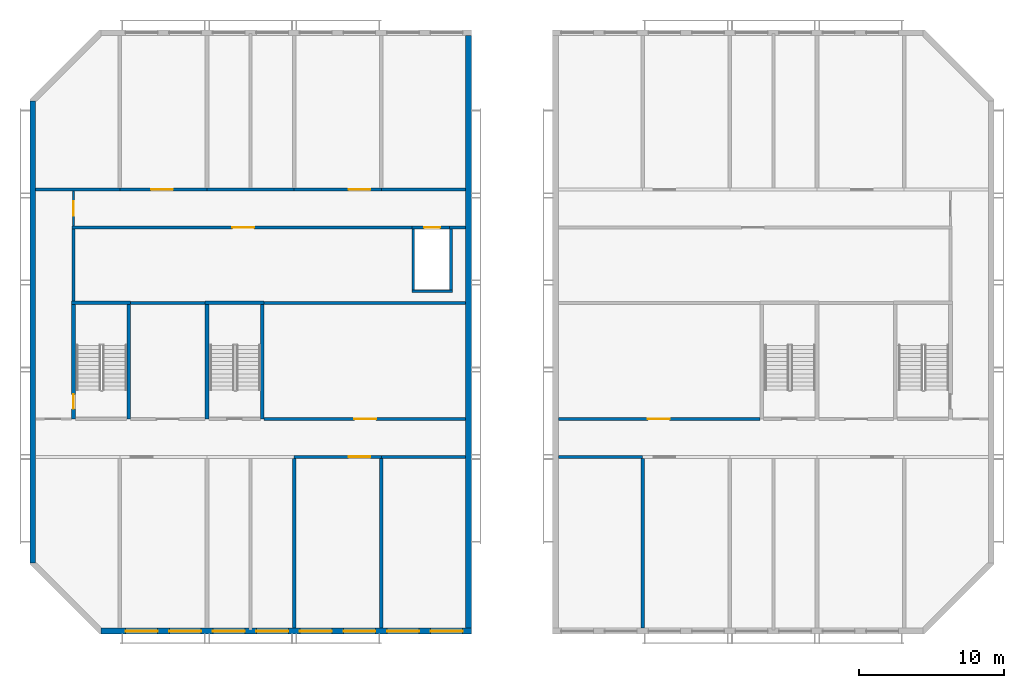
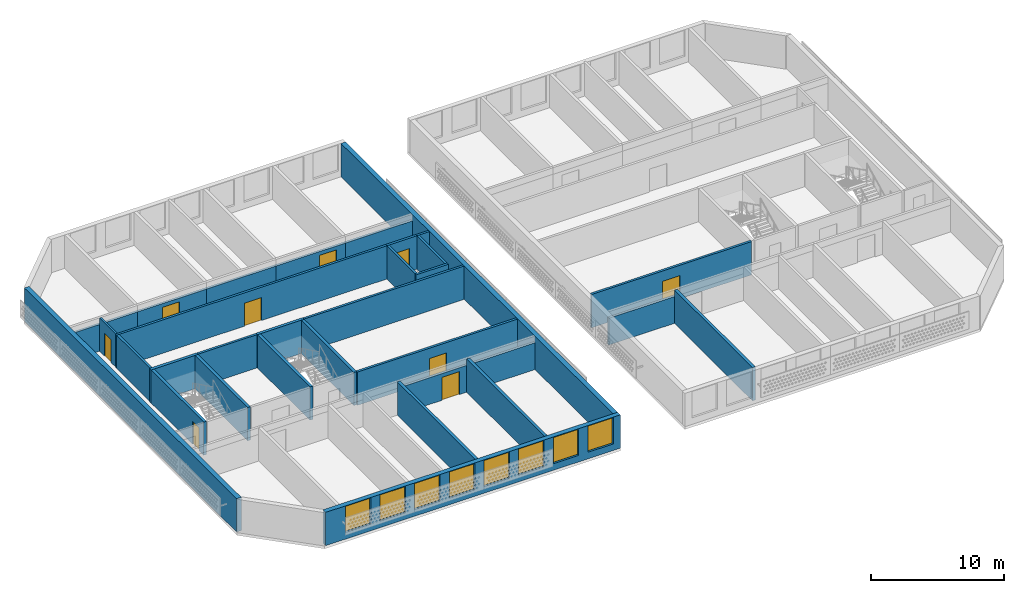
# One storey, part 2 of 18: 32 walls, 9 doors, 8 windows, 17 openings.
"""IFC4 building model written with IfcOpenShell, lengths in metres."""

from ifc_helpers import new_model, si_unit, direction, frame, frame_2d, origin, place, context, subcontext, project, spatial, rectangle, extrude, material, layer, layer_set, type_object, element, fill, save


model = new_model("IFC4")

# Units and contexts
model_context = context("Model", 3, precision=1e-05, world=origin(), true_north=direction((0.0, 1.0)))
body_context = subcontext(model_context, "Body", "Model", "MODEL_VIEW")
ifc_project = project(units=[si_unit("LENGTHUNIT", "METRE"), si_unit("AREAUNIT", "SQUARE_METRE"), si_unit("VOLUMEUNIT", "CUBIC_METRE"), si_unit("PLANEANGLEUNIT", "RADIAN"), si_unit("MASSUNIT", "GRAM", prefix="KILO")], contexts=[model_context])

# Site, building, storey
site_placement = place(None, origin())
site = spatial("IfcSite", under=ifc_project, at=site_placement, CompositionType="ELEMENT")
building_placement = place(site_placement, origin())
building = spatial("IfcBuilding", under=site, at=building_placement, Name="Poui Terraces", CompositionType="ELEMENT")
storey_placement = place(building_placement, frame((0.0, 0.0, 279.0)))
storey = spatial("IfcBuildingStorey", under=building, at=storey_placement, Name="L77 CROWN", CompositionType="ELEMENT", Elevation=279.0)

# Wall, opening, door
ifc_material_1 = material(Name="Fire-rated plasterboard wall")
ifc_layer_1 = layer(ifc_material_1, 0.14990234375)
ifc_layer_set_1 = layer_set([ifc_layer_1], Name="Fire-rated plasterboard wall")
wall_type_1 = type_object("IfcWallType", Name="CORRIDOR WALL 150", PredefinedType="PARTITIONING", material=ifc_layer_set_1)
wall_1_placement = place(storey_placement, frame((20.800048828125, 27.89990234375, 0.0), z_axis=(0.0, 0.0, 1.0), x_axis=(0.0, 1.0, 0.0)))
wall_1 = element("IfcWall", 1, at=wall_1_placement, inside=storey, type_object=wall_type_1, Name="CORRIDOR WALL 150", PredefinedType="PARTITIONING", context=body_context, shape_type="SweptSolid", body=[
    extrude(rectangle(XDim=2.39013671875, YDim=0.14990234375, at=frame_2d((1.195068359375, 0.0))), origin(), (0.0, 0.0, 1.0), 3.050048828125),
])
opening_1_placement = place(wall_1_placement, frame((0.699951171875, 0.0, 0.0)))
opening_1 = element("IfcOpeningElement", 2, at=opening_1_placement, cuts=wall_1, Name="Opening FDL", PredefinedType="OPENING", context=body_context, shape_type="SweptSolid", body=[
    extrude(rectangle(XDim=1.0, YDim=2.10009765625, at=frame_2d((0.5, 1.050048828125))), frame((0.0, 0.0849609375, 0.0), z_axis=(0.0, -1.0, 0.0), x_axis=(1.0, 0.0, 0.0)), (0.0, 0.0, 1.0), 0.169921875),
])
ifc_material_2 = material(Name="Steel fire door", Category="steel")
door_type_1 = type_object("IfcDoorType", Name="LOBBY FIRE DOOR 1000 X 2100", OperationType="NOTDEFINED", PredefinedType="DOOR", material=ifc_material_2)
door_1_placement = place(opening_1_placement, origin())
door_1 = element("IfcDoor", 3, at=door_1_placement, inside=storey, type_object=door_type_1, Name="LOBBY FIRE DOOR 022", OperationType="SINGLE_SWING_LEFT", OverallHeight=2.10009765625, OverallWidth=1.0, PredefinedType="DOOR", context=body_context, shape_type="SweptSolid", body=[
    extrude(rectangle(XDim=1.0, YDim=2.10009765625, at=frame_2d((0.5, 1.050048828125))), frame((0.0, 0.02490234375, 0.0), z_axis=(0.0, -1.0, 0.0), x_axis=(1.0, 0.0, 0.0)), (0.0, 0.0, 1.0), 0.050048828125),
])
fill(opening_1, door_1)

ifc_material_3 = material(Name="Concrete 50 MPa", Category="concrete")
ifc_layer_2 = layer(ifc_material_3, 0.199951171875)
ifc_layer_set_2 = layer_set([ifc_layer_2], Name="Concrete 50 MPa")
wall_type_2 = type_object("IfcWallType", Name="CORRIDOR WALL 200 50MPa", PredefinedType="SHEAR", material=ifc_layer_set_2)
wall_2_placement = place(storey_placement, frame((36.0, 12.0, 0.0), z_axis=(0.0, 0.0, 1.0), x_axis=(1.0, 0.0, 0.0)))
wall_2 = element("IfcWall", 4, at=wall_2_placement, inside=storey, type_object=wall_type_2, Name="CORRIDOR WALL LINE B BAY W4", PredefinedType="SHEAR", context=body_context, shape_type="SweptSolid", body=[
    extrude(rectangle(XDim=6.0, YDim=0.199951171875, at=frame_2d((3.0, 0.0))), origin(), (0.0, 0.0, 1.0), 2.449951171875),
])
opening_2_placement = place(wall_2_placement, frame((3.75, 0.0, 0.0)))
opening_2 = element("IfcOpeningElement", 5, at=opening_2_placement, cuts=wall_2, Name="Opening FDP", PredefinedType="OPENING", context=body_context, shape_type="SweptSolid", body=[
    extrude(rectangle(XDim=1.5, YDim=2.10009765625, at=frame_2d((0.75, 1.050048828125))), frame((0.0, 0.10986328125, 0.0), z_axis=(0.0, -1.0, 0.0), x_axis=(1.0, 0.0, 0.0)), (0.0, 0.0, 1.0), 0.219970703125),
])
door_type_2 = type_object("IfcDoorType", Name="PLANT ROOM DOOR PAIR 1500 X 2100", OperationType="DOUBLE_DOOR_SINGLE_SWING", PredefinedType="DOOR", material=ifc_material_2)
door_2_placement = place(opening_2_placement, origin())
door_2 = element("IfcDoor", 6, at=door_2_placement, inside=storey, type_object=door_type_2, Name="PLANT ROOM DOOR PAIR 018", OperationType="DOUBLE_DOOR_SINGLE_SWING", OverallHeight=2.10009765625, OverallWidth=1.5, PredefinedType="DOOR", context=body_context, shape_type="SweptSolid", body=[
    extrude(rectangle(XDim=1.5, YDim=2.10009765625, at=frame_2d((0.75, 1.050048828125))), frame((0.0, 0.02490234375, 0.0), z_axis=(0.0, -1.0, 0.0), x_axis=(1.0, 0.0, 0.0)), (0.0, 0.0, 1.0), 0.050048828125),
])
fill(opening_2, door_2)

# Walls
for number, where, z_axis, x_axis, name in (
    (7, (42.0, 12.0, 0.0), (0.0, 0.0, 1.0), (1.0, 0.0, 0.0), "CORRIDOR WALL LINE B BAY W5"),
    (8, (18.199951171875, 30.39990234375, 0.0), (0.0, 0.0, 1.0), (1.0, 0.0, 0.0), "CORRIDOR WALL LINE E BAY W1"),
):
    element("IfcWall", number, at=place(storey_placement, frame(where, z_axis=z_axis, x_axis=x_axis)), inside=storey, type_object=wall_type_2, Name=name, PredefinedType="SHEAR", context=body_context, shape_type="SweptSolid", body=[
        extrude(rectangle(XDim=5.800048828125, YDim=0.199951171875, at=frame_2d((2.89990234375, 0.0))), origin(), (0.0, 0.0, 1.0), 2.449951171875),
    ])

# Wall, opening, door
wall_3_placement = place(storey_placement, frame((24.0, 30.39990234375, 0.0), z_axis=(0.0, 0.0, 1.0), x_axis=(1.0, 0.0, 0.0)))
wall_3 = element("IfcWall", 9, at=wall_3_placement, inside=storey, type_object=wall_type_2, Name="CORRIDOR WALL LINE E BAY W2", PredefinedType="SHEAR", context=body_context, shape_type="SweptSolid", body=[
    extrude(rectangle(XDim=6.0, YDim=0.199951171875, at=frame_2d((3.0, 0.0))), origin(), (0.0, 0.0, 1.0), 2.449951171875),
])
opening_3_placement = place(wall_3_placement, frame((2.14990234375, 0.0, 0.0)))
opening_3 = element("IfcOpeningElement", 10, at=opening_3_placement, cuts=wall_3, Name="Opening FDP", PredefinedType="OPENING", context=body_context, shape_type="SweptSolid", body=[
    extrude(rectangle(XDim=1.5, YDim=2.10009765625, at=frame_2d((0.75, 1.050048828125))), frame((0.0, 0.10986328125, 0.0), z_axis=(0.0, -1.0, 0.0), x_axis=(1.0, 0.0, 0.0)), (0.0, 0.0, 1.0), 0.219970703125),
])
door_3_placement = place(opening_3_placement, frame((1.5, 0.0, 0.0), z_axis=(0.0, 0.0, 1.0), x_axis=(-1.0, 0.0, 0.0)))
door_3 = element("IfcDoor", 11, at=door_3_placement, inside=storey, type_object=door_type_2, Name="PLANT ROOM DOOR PAIR 012", OperationType="DOUBLE_DOOR_SINGLE_SWING", OverallHeight=2.10009765625, OverallWidth=1.5, PredefinedType="DOOR", context=body_context, shape_type="SweptSolid", body=[
    extrude(rectangle(XDim=1.5, YDim=2.10009765625, at=frame_2d((0.75, 1.050048828125))), frame((0.0, 0.02490234375, 0.0), z_axis=(0.0, -1.0, 0.0), x_axis=(1.0, 0.0, 0.0)), (0.0, 0.0, 1.0), 0.050048828125),
])
fill(opening_3, door_3)

# Wall
wall_4_placement = place(storey_placement, frame((30.0, 30.39990234375, 0.0), z_axis=(0.0, 0.0, 1.0), x_axis=(1.0, 0.0, 0.0)))
element("IfcWall", 12, at=wall_4_placement, inside=storey, type_object=wall_type_2, Name="CORRIDOR WALL LINE E BAY W3", PredefinedType="SHEAR", context=body_context, shape_type="SweptSolid", body=[
    extrude(rectangle(XDim=6.0, YDim=0.199951171875, at=frame_2d((3.0, 0.0))), origin(), (0.0, 0.0, 1.0), 2.449951171875),
])

# Wall, opening, door
wall_5_placement = place(storey_placement, frame((36.0, 30.39990234375, 0.0), z_axis=(0.0, 0.0, 1.0), x_axis=(1.0, 0.0, 0.0)))
wall_5 = element("IfcWall", 13, at=wall_5_placement, inside=storey, type_object=wall_type_2, Name="CORRIDOR WALL LINE E BAY W4", PredefinedType="SHEAR", context=body_context, shape_type="SweptSolid", body=[
    extrude(rectangle(XDim=6.0, YDim=0.199951171875, at=frame_2d((3.0, 0.0))), origin(), (0.0, 0.0, 1.0), 2.449951171875),
])
opening_4_placement = place(wall_5_placement, frame((3.75, 0.0, 0.0)))
opening_4 = element("IfcOpeningElement", 14, at=opening_4_placement, cuts=wall_5, Name="Opening FDP", PredefinedType="OPENING", context=body_context, shape_type="SweptSolid", body=[
    extrude(rectangle(XDim=1.5, YDim=2.10009765625, at=frame_2d((0.75, 1.050048828125))), frame((0.0, 0.10986328125, 0.0), z_axis=(0.0, -1.0, 0.0), x_axis=(1.0, 0.0, 0.0)), (0.0, 0.0, 1.0), 0.219970703125),
])
door_4_placement = place(opening_4_placement, frame((1.5, 0.0, 0.0), z_axis=(0.0, 0.0, 1.0), x_axis=(-1.0, 0.0, 0.0)))
door_4 = element("IfcDoor", 15, at=door_4_placement, inside=storey, type_object=door_type_2, Name="PLANT ROOM DOOR PAIR 014", OperationType="DOUBLE_DOOR_SINGLE_SWING", OverallHeight=2.10009765625, OverallWidth=1.5, PredefinedType="DOOR", context=body_context, shape_type="SweptSolid", body=[
    extrude(rectangle(XDim=1.5, YDim=2.10009765625, at=frame_2d((0.75, 1.050048828125))), frame((0.0, 0.02490234375, 0.0), z_axis=(0.0, -1.0, 0.0), x_axis=(1.0, 0.0, 0.0)), (0.0, 0.0, 1.0), 0.050048828125),
])
fill(opening_4, door_4)

# Walls
for number, where, z_axis, x_axis, name in (
    (16, (42.0, 30.39990234375, 0.0), (0.0, 0.0, 1.0), (1.0, 0.0, 0.0), "CORRIDOR WALL LINE E BAY W5"),
    (17, (54.199951171875, 12.0, 0.0), (0.0, 0.0, 1.0), (1.0, 0.0, 0.0), "CORRIDOR WALL LINE B BAY E1"),
):
    element("IfcWall", number, at=place(storey_placement, frame(where, z_axis=z_axis, x_axis=x_axis)), inside=storey, type_object=wall_type_2, Name=name, PredefinedType="SHEAR", context=body_context, shape_type="SweptSolid", body=[
        extrude(rectangle(XDim=5.800048828125, YDim=0.199951171875, at=frame_2d((2.89990234375, 0.0))), origin(), (0.0, 0.0, 1.0), 2.449951171875),
    ])
ifc_layer_3 = layer(ifc_material_3, 0.25)
ifc_layer_set_3 = layer_set([ifc_layer_3], Name="Concrete 50 MPa")
wall_type_3 = type_object("IfcWallType", Name="CROSS WALL 250 50MPa", PredefinedType="SHEAR", material=ifc_layer_set_3)
for number, where, z_axis, x_axis, name in (
    (18, (36.0, 0.199951171875, 0.0), (0.0, 0.0, 1.0), (0.0, 1.0, 0.0), "CROSS WALL LINE 7 SOUTH"),
    (19, (42.0, 0.199951171875, 0.0), (0.0, 0.0, 1.0), (0.0, 1.0, 0.0), "CROSS WALL LINE 8 SOUTH"),
    (20, (60.0, 0.199951171875, 0.0), (0.0, 0.0, 1.0), (0.0, 1.0, 0.0), "CROSS WALL LINE 11 SOUTH"),
):
    element("IfcWall", number, at=place(storey_placement, frame(where, z_axis=z_axis, x_axis=x_axis)), inside=storey, type_object=wall_type_3, Name=name, PredefinedType="SHEAR", context=body_context, shape_type="SweptSolid", body=[
        extrude(rectangle(XDim=11.699951171875, YDim=0.25, at=frame_2d((5.85009765625, 0.0))), origin(), (0.0, 0.0, 1.0), 3.050048828125),
    ])
ifc_layer_4 = layer(ifc_material_3, 0.39990234375)
ifc_layer_set_4 = layer_set([ifc_layer_4], Name="Concrete 50 MPa")
wall_type_4 = type_object("IfcWallType", Name="END WALL 400 50MPa", PredefinedType="SHEAR", material=ifc_layer_set_4)
wall_6_placement = place(storey_placement, frame((18.0, 4.682861328125, 0.0), z_axis=(0.0, 0.0, 1.0), x_axis=(0.0, 1.0, 0.0)))
element("IfcWall", 21, at=wall_6_placement, inside=storey, type_object=wall_type_4, Name="END WALL LINE 4", PredefinedType="SHEAR", context=body_context, shape_type="SweptSolid", body=[
    extrude(rectangle(XDim=31.834228515625, YDim=0.39990234375, at=frame_2d((15.9169921875, 0.0))), origin(), (0.0, 0.0, 1.0), 3.050048828125),
])
wall_7_placement = place(storey_placement, frame((48.0, 0.199951171875, 0.0), z_axis=(0.0, 0.0, 1.0), x_axis=(0.0, 1.0, 0.0)))
element("IfcWall", 22, at=wall_7_placement, inside=storey, type_object=wall_type_4, Name="END WALL LINE 9", PredefinedType="SHEAR", context=body_context, shape_type="SweptSolid", body=[
    extrude(rectangle(XDim=40.800048828125, YDim=0.39990234375, at=frame_2d((20.39990234375, 0.0))), origin(), (0.0, 0.0, 1.0), 3.050048828125),
])

# Wall, openings, windows
ifc_material_4 = material(Name="Precast concrete 40 MPa", Category="concrete")
ifc_layer_5 = layer(ifc_material_4, 0.39990234375)
ifc_layer_set_5 = layer_set([ifc_layer_5], Name="Precast concrete 40 MPa")
wall_type_5 = type_object("IfcWallType", Name="EXTERNAL WALL 400", PredefinedType="STANDARD", material=ifc_layer_set_5)
wall_8_placement = place(storey_placement, frame((22.682861328125, 0.0, 0.0), z_axis=(0.0, 0.0, 1.0), x_axis=(1.0, 0.0, 0.0)))
wall_8 = element("IfcWall", 23, at=wall_8_placement, inside=storey, type_object=wall_type_5, Name="EXTERNAL WALL S", PredefinedType="STANDARD", context=body_context, shape_type="SweptSolid", body=[
    extrude(rectangle(XDim=25.51708984375, YDim=0.39990234375, at=frame_2d((12.758544921875, 0.0))), origin(), (0.0, 0.0, 1.0), 3.050048828125),
])
opening_5_placement = place(wall_8_placement, frame((1.71728515625, 0.0, 0.60009765625)))
opening_5 = element("IfcOpeningElement", 24, at=opening_5_placement, cuts=wall_8, Name="Opening W5", PredefinedType="OPENING", context=body_context, shape_type="SweptSolid", body=[
    extrude(rectangle(XDim=2.199951171875, YDim=2.39990234375, at=frame_2d((1.10009765625, 1.199951171875))), frame((0.0, 0.2099609375, 0.0), z_axis=(0.0, -1.0, 0.0), x_axis=(1.0, 0.0, 0.0)), (0.0, 0.0, 1.0), 0.419921875),
])
opening_6_placement = place(wall_8_placement, frame((4.71728515625, 0.0, 0.60009765625)))
opening_6 = element("IfcOpeningElement", 25, at=opening_6_placement, cuts=wall_8, Name="Opening W5", PredefinedType="OPENING", context=body_context, shape_type="SweptSolid", body=[
    extrude(rectangle(XDim=2.199951171875, YDim=2.39990234375, at=frame_2d((1.10009765625, 1.199951171875))), frame((0.0, 0.2099609375, 0.0), z_axis=(0.0, -1.0, 0.0), x_axis=(1.0, 0.0, 0.0)), (0.0, 0.0, 1.0), 0.419921875),
])
opening_7_placement = place(wall_8_placement, frame((7.71728515625, 0.0, 0.60009765625)))
opening_7 = element("IfcOpeningElement", 26, at=opening_7_placement, cuts=wall_8, Name="Opening W5", PredefinedType="OPENING", context=body_context, shape_type="SweptSolid", body=[
    extrude(rectangle(XDim=2.199951171875, YDim=2.39990234375, at=frame_2d((1.10009765625, 1.199951171875))), frame((0.0, 0.2099609375, 0.0), z_axis=(0.0, -1.0, 0.0), x_axis=(1.0, 0.0, 0.0)), (0.0, 0.0, 1.0), 0.419921875),
])
opening_8_placement = place(wall_8_placement, frame((10.71728515625, 0.0, 0.60009765625)))
opening_8 = element("IfcOpeningElement", 27, at=opening_8_placement, cuts=wall_8, Name="Opening W5", PredefinedType="OPENING", context=body_context, shape_type="SweptSolid", body=[
    extrude(rectangle(XDim=2.199951171875, YDim=2.39990234375, at=frame_2d((1.10009765625, 1.199951171875))), frame((0.0, 0.2099609375, 0.0), z_axis=(0.0, -1.0, 0.0), x_axis=(1.0, 0.0, 0.0)), (0.0, 0.0, 1.0), 0.419921875),
])
opening_9_placement = place(wall_8_placement, frame((13.71728515625, 0.0, 0.60009765625)))
opening_9 = element("IfcOpeningElement", 28, at=opening_9_placement, cuts=wall_8, Name="Opening W5", PredefinedType="OPENING", context=body_context, shape_type="SweptSolid", body=[
    extrude(rectangle(XDim=2.199951171875, YDim=2.39990234375, at=frame_2d((1.10009765625, 1.199951171875))), frame((0.0, 0.2099609375, 0.0), z_axis=(0.0, -1.0, 0.0), x_axis=(1.0, 0.0, 0.0)), (0.0, 0.0, 1.0), 0.419921875),
])
opening_10_placement = place(wall_8_placement, frame((16.71728515625, 0.0, 0.60009765625)))
opening_10 = element("IfcOpeningElement", 29, at=opening_10_placement, cuts=wall_8, Name="Opening W5", PredefinedType="OPENING", context=body_context, shape_type="SweptSolid", body=[
    extrude(rectangle(XDim=2.199951171875, YDim=2.39990234375, at=frame_2d((1.10009765625, 1.199951171875))), frame((0.0, 0.2099609375, 0.0), z_axis=(0.0, -1.0, 0.0), x_axis=(1.0, 0.0, 0.0)), (0.0, 0.0, 1.0), 0.419921875),
])
opening_11_placement = place(wall_8_placement, frame((19.71728515625, 0.0, 0.60009765625)))
opening_11 = element("IfcOpeningElement", 30, at=opening_11_placement, cuts=wall_8, Name="Opening W5", PredefinedType="OPENING", context=body_context, shape_type="SweptSolid", body=[
    extrude(rectangle(XDim=2.199951171875, YDim=2.39990234375, at=frame_2d((1.10009765625, 1.199951171875))), frame((0.0, 0.2099609375, 0.0), z_axis=(0.0, -1.0, 0.0), x_axis=(1.0, 0.0, 0.0)), (0.0, 0.0, 1.0), 0.419921875),
])
opening_12_placement = place(wall_8_placement, frame((22.71728515625, 0.0, 0.60009765625)))
opening_12 = element("IfcOpeningElement", 31, at=opening_12_placement, cuts=wall_8, Name="Opening W5", PredefinedType="OPENING", context=body_context, shape_type="SweptSolid", body=[
    extrude(rectangle(XDim=2.199951171875, YDim=2.39990234375, at=frame_2d((1.10009765625, 1.199951171875))), frame((0.0, 0.2099609375, 0.0), z_axis=(0.0, -1.0, 0.0), x_axis=(1.0, 0.0, 0.0)), (0.0, 0.0, 1.0), 0.419921875),
])
ifc_material_5 = material(Name="Clear glass in aluminium frame", Category="aluminium")
window_type = type_object("IfcWindowType", Name="WINDOW 2200X2400", PartitioningType="TRIPLE_PANEL_HORIZONTAL", PredefinedType="WINDOW", material=ifc_material_5)
window_1_placement = place(opening_5_placement, origin())
window_1 = element("IfcWindow", 32, at=window_1_placement, inside=storey, type_object=window_type, Name="W5 WINDOW", OverallHeight=2.39990234375, OverallWidth=2.199951171875, PartitioningType="TRIPLE_PANEL_HORIZONTAL", PredefinedType="WINDOW", context=body_context, shape_type="SweptSolid", body=[
    extrude(rectangle(XDim=2.199951171875, YDim=2.39990234375, at=frame_2d((1.10009765625, 1.199951171875))), frame((0.0, 0.030029296875, 0.0), z_axis=(0.0, -1.0, 0.0), x_axis=(1.0, 0.0, 0.0)), (0.0, 0.0, 1.0), 0.06005859375),
])
fill(opening_5, window_1)
window_2_placement = place(opening_6_placement, origin())
window_2 = element("IfcWindow", 33, at=window_2_placement, inside=storey, type_object=window_type, Name="W5 WINDOW", OverallHeight=2.39990234375, OverallWidth=2.199951171875, PartitioningType="TRIPLE_PANEL_HORIZONTAL", PredefinedType="WINDOW", context=body_context, shape_type="SweptSolid", body=[
    extrude(rectangle(XDim=2.199951171875, YDim=2.39990234375, at=frame_2d((1.10009765625, 1.199951171875))), frame((0.0, 0.030029296875, 0.0), z_axis=(0.0, -1.0, 0.0), x_axis=(1.0, 0.0, 0.0)), (0.0, 0.0, 1.0), 0.06005859375),
])
fill(opening_6, window_2)
window_3_placement = place(opening_7_placement, origin())
window_3 = element("IfcWindow", 34, at=window_3_placement, inside=storey, type_object=window_type, Name="W5 WINDOW", OverallHeight=2.39990234375, OverallWidth=2.199951171875, PartitioningType="TRIPLE_PANEL_HORIZONTAL", PredefinedType="WINDOW", context=body_context, shape_type="SweptSolid", body=[
    extrude(rectangle(XDim=2.199951171875, YDim=2.39990234375, at=frame_2d((1.10009765625, 1.199951171875))), frame((0.0, 0.030029296875, 0.0), z_axis=(0.0, -1.0, 0.0), x_axis=(1.0, 0.0, 0.0)), (0.0, 0.0, 1.0), 0.06005859375),
])
fill(opening_7, window_3)
window_4_placement = place(opening_8_placement, origin())
window_4 = element("IfcWindow", 35, at=window_4_placement, inside=storey, type_object=window_type, Name="W5 WINDOW", OverallHeight=2.39990234375, OverallWidth=2.199951171875, PartitioningType="TRIPLE_PANEL_HORIZONTAL", PredefinedType="WINDOW", context=body_context, shape_type="SweptSolid", body=[
    extrude(rectangle(XDim=2.199951171875, YDim=2.39990234375, at=frame_2d((1.10009765625, 1.199951171875))), frame((0.0, 0.030029296875, 0.0), z_axis=(0.0, -1.0, 0.0), x_axis=(1.0, 0.0, 0.0)), (0.0, 0.0, 1.0), 0.06005859375),
])
fill(opening_8, window_4)
window_5_placement = place(opening_9_placement, origin())
window_5 = element("IfcWindow", 36, at=window_5_placement, inside=storey, type_object=window_type, Name="W5 WINDOW", OverallHeight=2.39990234375, OverallWidth=2.199951171875, PartitioningType="TRIPLE_PANEL_HORIZONTAL", PredefinedType="WINDOW", context=body_context, shape_type="SweptSolid", body=[
    extrude(rectangle(XDim=2.199951171875, YDim=2.39990234375, at=frame_2d((1.10009765625, 1.199951171875))), frame((0.0, 0.030029296875, 0.0), z_axis=(0.0, -1.0, 0.0), x_axis=(1.0, 0.0, 0.0)), (0.0, 0.0, 1.0), 0.06005859375),
])
fill(opening_9, window_5)
window_6_placement = place(opening_10_placement, origin())
window_6 = element("IfcWindow", 37, at=window_6_placement, inside=storey, type_object=window_type, Name="W5 WINDOW", OverallHeight=2.39990234375, OverallWidth=2.199951171875, PartitioningType="TRIPLE_PANEL_HORIZONTAL", PredefinedType="WINDOW", context=body_context, shape_type="SweptSolid", body=[
    extrude(rectangle(XDim=2.199951171875, YDim=2.39990234375, at=frame_2d((1.10009765625, 1.199951171875))), frame((0.0, 0.030029296875, 0.0), z_axis=(0.0, -1.0, 0.0), x_axis=(1.0, 0.0, 0.0)), (0.0, 0.0, 1.0), 0.06005859375),
])
fill(opening_10, window_6)
window_7_placement = place(opening_11_placement, origin())
window_7 = element("IfcWindow", 38, at=window_7_placement, inside=storey, type_object=window_type, Name="W5 WINDOW", OverallHeight=2.39990234375, OverallWidth=2.199951171875, PartitioningType="TRIPLE_PANEL_HORIZONTAL", PredefinedType="WINDOW", context=body_context, shape_type="SweptSolid", body=[
    extrude(rectangle(XDim=2.199951171875, YDim=2.39990234375, at=frame_2d((1.10009765625, 1.199951171875))), frame((0.0, 0.030029296875, 0.0), z_axis=(0.0, -1.0, 0.0), x_axis=(1.0, 0.0, 0.0)), (0.0, 0.0, 1.0), 0.06005859375),
])
fill(opening_11, window_7)
window_8_placement = place(opening_12_placement, origin())
window_8 = element("IfcWindow", 39, at=window_8_placement, inside=storey, type_object=window_type, Name="W5 WINDOW", OverallHeight=2.39990234375, OverallWidth=2.199951171875, PartitioningType="TRIPLE_PANEL_HORIZONTAL", PredefinedType="WINDOW", context=body_context, shape_type="SweptSolid", body=[
    extrude(rectangle(XDim=2.199951171875, YDim=2.39990234375, at=frame_2d((1.10009765625, 1.199951171875))), frame((0.0, 0.030029296875, 0.0), z_axis=(0.0, -1.0, 0.0), x_axis=(1.0, 0.0, 0.0)), (0.0, 0.0, 1.0), 0.06005859375),
])
fill(opening_12, window_8)

# Wall, opening, door
ifc_material_6 = material(Name="Fire-rated masonry wall", Category="masonry")
ifc_layer_6 = layer(ifc_material_6, 0.199951171875)
ifc_layer_set_6 = layer_set([ifc_layer_6], Name="Fire-rated masonry wall")
wall_type_6 = type_object("IfcWallType", Name="PLANT ROOM WALL 200", PredefinedType="PARTITIONING", material=ifc_layer_set_6)
wall_9_placement = place(storey_placement, frame((33.93505859375, 14.60009765625, 0.0), z_axis=(0.0, 0.0, 1.0), x_axis=(1.0, 0.0, 0.0)))
wall_9 = element("IfcWall", 40, at=wall_9_placement, inside=storey, type_object=wall_type_6, Name="PLANT ROOM WALL 200", PredefinedType="PARTITIONING", context=body_context, shape_type="SweptSolid", body=[
    extrude(rectangle(XDim=13.85498046875, YDim=0.199951171875, at=frame_2d((6.927490234375, 0.0))), origin(), (0.0, 0.0, 1.0), 3.050048828125),
])
opening_13_placement = place(wall_9_placement, frame((6.215087890625, 0.0, 0.0)))
opening_13 = element("IfcOpeningElement", 41, at=opening_13_placement, cuts=wall_9, Name="Opening FDP", PredefinedType="OPENING", context=body_context, shape_type="SweptSolid", body=[
    extrude(rectangle(XDim=1.5, YDim=2.10009765625, at=frame_2d((0.75, 1.050048828125))), frame((0.0, 0.10986328125, 0.0), z_axis=(0.0, -1.0, 0.0), x_axis=(1.0, 0.0, 0.0)), (0.0, 0.0, 1.0), 0.219970703125),
])
door_5_placement = place(opening_13_placement, frame((1.5, 0.0, 0.0), z_axis=(0.0, 0.0, 1.0), x_axis=(-1.0, 0.0, 0.0)))
door_5 = element("IfcDoor", 42, at=door_5_placement, inside=storey, type_object=door_type_2, Name="PLANT ROOM DOOR PAIR 019", OperationType="DOUBLE_DOOR_SINGLE_SWING", OverallHeight=2.10009765625, OverallWidth=1.5, PredefinedType="DOOR", context=body_context, shape_type="SweptSolid", body=[
    extrude(rectangle(XDim=1.5, YDim=2.10009765625, at=frame_2d((0.75, 1.050048828125))), frame((0.0, 0.02490234375, 0.0), z_axis=(0.0, -1.0, 0.0), x_axis=(1.0, 0.0, 0.0)), (0.0, 0.0, 1.0), 0.050048828125),
])
fill(opening_13, door_5)

wall_10_placement = place(storey_placement, frame((54.2099609375, 14.60009765625, 0.0), z_axis=(0.0, 0.0, 1.0), x_axis=(1.0, 0.0, 0.0)))
wall_10 = element("IfcWall", 43, at=wall_10_placement, inside=storey, type_object=wall_type_6, Name="PLANT ROOM WALL 200", PredefinedType="PARTITIONING", context=body_context, shape_type="SweptSolid", body=[
    extrude(rectangle(XDim=13.85498046875, YDim=0.199951171875, at=frame_2d((6.927490234375, 0.0))), origin(), (0.0, 0.0, 1.0), 3.050048828125),
])
opening_14_placement = place(wall_10_placement, frame((6.139892578125, 0.0, 0.0)))
opening_14 = element("IfcOpeningElement", 44, at=opening_14_placement, cuts=wall_10, Name="Opening FDP", PredefinedType="OPENING", context=body_context, shape_type="SweptSolid", body=[
    extrude(rectangle(XDim=1.5, YDim=2.10009765625, at=frame_2d((0.75, 1.050048828125))), frame((0.0, 0.10986328125, 0.0), z_axis=(0.0, -1.0, 0.0), x_axis=(1.0, 0.0, 0.0)), (0.0, 0.0, 1.0), 0.219970703125),
])
door_6_placement = place(opening_14_placement, frame((1.5, 0.0, 0.0), z_axis=(0.0, 0.0, 1.0), x_axis=(-1.0, 0.0, 0.0)))
door_6 = element("IfcDoor", 45, at=door_6_placement, inside=storey, type_object=door_type_2, Name="PLANT ROOM DOOR PAIR 004", OperationType="DOUBLE_DOOR_SINGLE_SWING", OverallHeight=2.10009765625, OverallWidth=1.5, PredefinedType="DOOR", context=body_context, shape_type="SweptSolid", body=[
    extrude(rectangle(XDim=1.5, YDim=2.10009765625, at=frame_2d((0.75, 1.050048828125))), frame((0.0, 0.02490234375, 0.0), z_axis=(0.0, -1.0, 0.0), x_axis=(1.0, 0.0, 0.0)), (0.0, 0.0, 1.0), 0.050048828125),
])
fill(opening_14, door_6)

# Walls
wall_11_placement = place(storey_placement, frame((24.735107421875, 22.60009765625, 0.0), z_axis=(0.0, 0.0, 1.0), x_axis=(1.0, 0.0, 0.0)))
element("IfcWall", 46, at=wall_11_placement, inside=storey, type_object=wall_type_6, Name="PLANT ROOM WALL 200", PredefinedType="PARTITIONING", context=body_context, shape_type="SweptSolid", body=[
    extrude(rectangle(XDim=5.1298828125, YDim=0.199951171875, at=frame_2d((2.56494140625, 0.0))), origin(), (0.0, 0.0, 1.0), 3.050048828125),
])
wall_12_placement = place(storey_placement, frame((33.93505859375, 22.60009765625, 0.0), z_axis=(0.0, 0.0, 1.0), x_axis=(1.0, 0.0, 0.0)))
element("IfcWall", 47, at=wall_12_placement, inside=storey, type_object=wall_type_6, Name="PLANT ROOM WALL 200", PredefinedType="PARTITIONING", context=body_context, shape_type="SweptSolid", body=[
    extrude(rectangle(XDim=13.85498046875, YDim=0.199951171875, at=frame_2d((6.927490234375, 0.0))), origin(), (0.0, 0.0, 1.0), 3.050048828125),
])

# Wall, opening, door
wall_13_placement = place(storey_placement, frame((20.699951171875, 27.800048828125, 0.0), z_axis=(0.0, 0.0, 1.0), x_axis=(1.0, 0.0, 0.0)))
wall_13 = element("IfcWall", 48, at=wall_13_placement, inside=storey, type_object=wall_type_6, Name="PLANT ROOM WALL 200", PredefinedType="PARTITIONING", context=body_context, shape_type="SweptSolid", body=[
    extrude(rectangle(XDim=23.60009765625, YDim=0.199951171875, at=frame_2d((11.800048828125, 0.0))), origin(), (0.0, 0.0, 1.0), 3.050048828125),
])
opening_15_placement = place(wall_13_placement, frame((11.050048828125, 0.0, 0.0)))
opening_15 = element("IfcOpeningElement", 49, at=opening_15_placement, cuts=wall_13, Name="Opening FDP", PredefinedType="OPENING", context=body_context, shape_type="SweptSolid", body=[
    extrude(rectangle(XDim=1.5, YDim=2.10009765625, at=frame_2d((0.75, 1.050048828125))), frame((0.0, 0.10986328125, 0.0), z_axis=(0.0, -1.0, 0.0), x_axis=(1.0, 0.0, 0.0)), (0.0, 0.0, 1.0), 0.219970703125),
])
door_7_placement = place(opening_15_placement, origin())
door_7 = element("IfcDoor", 50, at=door_7_placement, inside=storey, type_object=door_type_2, Name="PLANT ROOM DOOR PAIR 013", OperationType="DOUBLE_DOOR_SINGLE_SWING", OverallHeight=2.10009765625, OverallWidth=1.5, PredefinedType="DOOR", context=body_context, shape_type="SweptSolid", body=[
    extrude(rectangle(XDim=1.5, YDim=2.10009765625, at=frame_2d((0.75, 1.050048828125))), frame((0.0, 0.02490234375, 0.0), z_axis=(0.0, -1.0, 0.0), x_axis=(1.0, 0.0, 0.0)), (0.0, 0.0, 1.0), 0.050048828125),
])
fill(opening_15, door_7)

# Walls
wall_14_placement = place(storey_placement, frame((46.699951171875, 27.800048828125, 0.0), z_axis=(0.0, 0.0, 1.0), x_axis=(1.0, 0.0, 0.0)))
element("IfcWall", 51, at=wall_14_placement, inside=storey, type_object=wall_type_6, Name="PLANT ROOM WALL 200", PredefinedType="PARTITIONING", context=body_context, shape_type="SweptSolid", body=[
    extrude(rectangle(XDim=1.090087890625, YDim=0.199951171875, at=frame_2d((0.544921875, 0.0))), origin(), (0.0, 0.0, 1.0), 3.050048828125),
])
wall_15_placement = place(storey_placement, frame((20.800048828125, 22.735107421875, 0.0), z_axis=(0.0, 0.0, 1.0), x_axis=(0.0, 1.0, 0.0)))
element("IfcWall", 52, at=wall_15_placement, inside=storey, type_object=wall_type_6, Name="PLANT ROOM WALL 200", PredefinedType="PARTITIONING", context=body_context, shape_type="SweptSolid", body=[
    extrude(rectangle(XDim=4.96484375, YDim=0.199951171875, at=frame_2d((2.482421875, 0.0))), origin(), (0.0, 0.0, 1.0), 3.050048828125),
])
ifc_material_7 = material(Name="Fire-rated masonry shaft wall", Category="masonry")
ifc_layer_7 = layer(ifc_material_7, 0.199951171875)
ifc_layer_set_7 = layer_set([ifc_layer_7], Name="Fire-rated masonry shaft wall")
wall_type_7 = type_object("IfcWallType", Name="SHAFT WALL 200", PredefinedType="PARTITIONING", material=ifc_layer_set_7)
wall_16_placement = place(storey_placement, frame((44.10009765625, 23.39990234375, 0.0), z_axis=(0.0, 0.0, 1.0), x_axis=(1.0, 0.0, 0.0)))
element("IfcWall", 53, at=wall_16_placement, inside=storey, type_object=wall_type_7, Name="SHAFT WALL 200", PredefinedType="PARTITIONING", context=body_context, shape_type="SweptSolid", body=[
    extrude(rectangle(XDim=2.7998046875, YDim=0.199951171875, at=frame_2d((1.39990234375, 0.0))), origin(), (0.0, 0.0, 1.0), 3.050048828125),
])

# Wall, opening, door
wall_17_placement = place(storey_placement, frame((44.10009765625, 27.800048828125, 0.0), z_axis=(0.0, 0.0, 1.0), x_axis=(1.0, 0.0, 0.0)))
wall_17 = element("IfcWall", 54, at=wall_17_placement, inside=storey, type_object=wall_type_7, Name="SHAFT WALL 200", PredefinedType="PARTITIONING", context=body_context, shape_type="SweptSolid", body=[
    extrude(rectangle(XDim=2.7998046875, YDim=0.199951171875, at=frame_2d((1.39990234375, 0.0))), origin(), (0.0, 0.0, 1.0), 3.050048828125),
])
opening_16_placement = place(wall_17_placement, frame((0.85009765625, 0.0, 0.0)))
opening_16 = element("IfcOpeningElement", 55, at=opening_16_placement, cuts=wall_17, Name="Opening LD", PredefinedType="OPENING", context=body_context, shape_type="SweptSolid", body=[
    extrude(rectangle(XDim=1.10009765625, YDim=2.10009765625, at=frame_2d((0.550048828125, 1.050048828125))), frame((0.0, 0.10986328125, 0.0), z_axis=(0.0, -1.0, 0.0), x_axis=(1.0, 0.0, 0.0)), (0.0, 0.0, 1.0), 0.219970703125),
])
ifc_material_8 = material(Name="Stainless steel sliding door", Category="steel")
door_type_3 = type_object("IfcDoorType", Name="LIFT LANDING DOOR 1100 X 2100", OperationType="DOUBLE_DOOR_SLIDING", PredefinedType="DOOR", material=ifc_material_8)
door_8_placement = place(opening_16_placement, origin())
door_8 = element("IfcDoor", 56, at=door_8_placement, inside=storey, type_object=door_type_3, Name="LANDING DOOR", OperationType="DOUBLE_DOOR_SLIDING", OverallHeight=2.10009765625, OverallWidth=1.10009765625, PredefinedType="DOOR", context=body_context, shape_type="SweptSolid", body=[
    extrude(rectangle(XDim=1.10009765625, YDim=2.10009765625, at=frame_2d((0.550048828125, 1.050048828125))), frame((0.0, 0.02490234375, 0.0), z_axis=(0.0, -1.0, 0.0), x_axis=(1.0, 0.0, 0.0)), (0.0, 0.0, 1.0), 0.050048828125),
])
fill(opening_16, door_8)

# Walls
for number, where, z_axis, x_axis, name in (
    (57, (44.199951171875, 23.5, 0.0), (0.0, 0.0, 1.0), (0.0, 1.0, 0.0), "SHAFT WALL 200"),
    (58, (46.800048828125, 23.5, 0.0), (0.0, 0.0, 1.0), (0.0, 1.0, 0.0), "SHAFT WALL 200"),
):
    element("IfcWall", number, at=place(storey_placement, frame(where, z_axis=z_axis, x_axis=x_axis)), inside=storey, type_object=wall_type_7, Name=name, PredefinedType="PARTITIONING", context=body_context, shape_type="SweptSolid", body=[
        extrude(rectangle(XDim=4.199951171875, YDim=0.199951171875, at=frame_2d((2.10009765625, 0.0))), origin(), (0.0, 0.0, 1.0), 3.050048828125),
    ])

# Wall, opening, door
ifc_layer_8 = layer(ifc_material_3, 0.25)
ifc_layer_set_8 = layer_set([ifc_layer_8], Name="Concrete 50 MPa")
wall_type_8 = type_object("IfcWallType", Name="STAIR CORE WALL 250 50 MPA", PredefinedType="SOLIDWALL", material=ifc_layer_set_8)
wall_18_placement = place(storey_placement, frame((20.800048828125, 14.60009765625, 0.0), z_axis=(0.0, 0.0, 1.0), x_axis=(0.0, 1.0, 0.0)))
wall_18 = element("IfcWall", 59, at=wall_18_placement, inside=storey, type_object=wall_type_8, Name="STAIR CORE WALL", PredefinedType="SOLIDWALL", context=body_context, shape_type="SweptSolid", body=[
    extrude(rectangle(XDim=7.875, YDim=0.25, at=frame_2d((3.9375, 0.0))), origin(), (0.0, 0.0, 1.0), 3.050048828125),
])
opening_17_placement = place(wall_18_placement, frame((0.699951171875, 0.0, 0.0)))
opening_17 = element("IfcOpeningElement", 60, at=opening_17_placement, cuts=wall_18, Name="Opening FD60S", PredefinedType="OPENING", context=body_context, shape_type="SweptSolid", body=[
    extrude(rectangle(XDim=1.0, YDim=2.10009765625, at=frame_2d((0.5, 1.050048828125))), frame((0.0, 0.135009765625, 0.0), z_axis=(0.0, -1.0, 0.0), x_axis=(1.0, 0.0, 0.0)), (0.0, 0.0, 1.0), 0.27001953125),
])
door_type_4 = type_object("IfcDoorType", Name="STAIR DOOR 1000 X 2100", OperationType="NOTDEFINED", PredefinedType="DOOR", material=ifc_material_2)
door_9_placement = place(opening_17_placement, frame((1.0, 0.0, 0.0), z_axis=(0.0, 0.0, 1.0), x_axis=(-1.0, 0.0, 0.0)))
door_9 = element("IfcDoor", 61, at=door_9_placement, inside=storey, type_object=door_type_4, Name="STAIR DOOR 021", OperationType="SINGLE_SWING_RIGHT", OverallHeight=2.10009765625, OverallWidth=1.0, PredefinedType="DOOR", context=body_context, shape_type="SweptSolid", body=[
    extrude(rectangle(XDim=1.0, YDim=2.10009765625, at=frame_2d((0.5, 1.050048828125))), frame((0.0, 0.02490234375, 0.0), z_axis=(0.0, -1.0, 0.0), x_axis=(1.0, 0.0, 0.0)), (0.0, 0.0, 1.0), 0.050048828125),
])
fill(opening_17, door_9)

# Walls
wall_19_placement = place(storey_placement, frame((24.60009765625, 14.60009765625, 0.0), z_axis=(0.0, 0.0, 1.0), x_axis=(0.0, 1.0, 0.0)))
element("IfcWall", 62, at=wall_19_placement, inside=storey, type_object=wall_type_8, Name="STAIR CORE WALL", PredefinedType="SOLIDWALL", context=body_context, shape_type="SweptSolid", body=[
    extrude(rectangle(XDim=7.875, YDim=0.25, at=frame_2d((3.9375, 0.0))), origin(), (0.0, 0.0, 1.0), 3.050048828125),
])
wall_20_placement = place(storey_placement, frame((20.675048828125, 22.60009765625, 0.0), z_axis=(0.0, 0.0, 1.0), x_axis=(1.0, 0.0, 0.0)))
element("IfcWall", 63, at=wall_20_placement, inside=storey, type_object=wall_type_8, Name="STAIR CORE WALL", PredefinedType="SOLIDWALL", context=body_context, shape_type="SweptSolid", body=[
    extrude(rectangle(XDim=4.050048828125, YDim=0.25, at=frame_2d((2.02490234375, 0.0))), origin(), (0.0, 0.0, 1.0), 3.050048828125),
])
for number, where, z_axis, x_axis, name in (
    (64, (30.0, 14.60009765625, 0.0), (0.0, 0.0, 1.0), (0.0, 1.0, 0.0), "STAIR CORE WALL"),
    (65, (33.800048828125, 14.60009765625, 0.0), (0.0, 0.0, 1.0), (0.0, 1.0, 0.0), "STAIR CORE WALL"),
):
    element("IfcWall", number, at=place(storey_placement, frame(where, z_axis=z_axis, x_axis=x_axis)), inside=storey, type_object=wall_type_8, Name=name, PredefinedType="SOLIDWALL", context=body_context, shape_type="SweptSolid", body=[
        extrude(rectangle(XDim=7.875, YDim=0.25, at=frame_2d((3.9375, 0.0))), origin(), (0.0, 0.0, 1.0), 3.050048828125),
    ])
wall_21_placement = place(storey_placement, frame((29.875, 22.60009765625, 0.0), z_axis=(0.0, 0.0, 1.0), x_axis=(1.0, 0.0, 0.0)))
element("IfcWall", 66, at=wall_21_placement, inside=storey, type_object=wall_type_8, Name="STAIR CORE WALL", PredefinedType="SOLIDWALL", context=body_context, shape_type="SweptSolid", body=[
    extrude(rectangle(XDim=4.050048828125, YDim=0.25, at=frame_2d((2.02490234375, 0.0))), origin(), (0.0, 0.0, 1.0), 3.050048828125),
])

save(model, "model.ifc")
